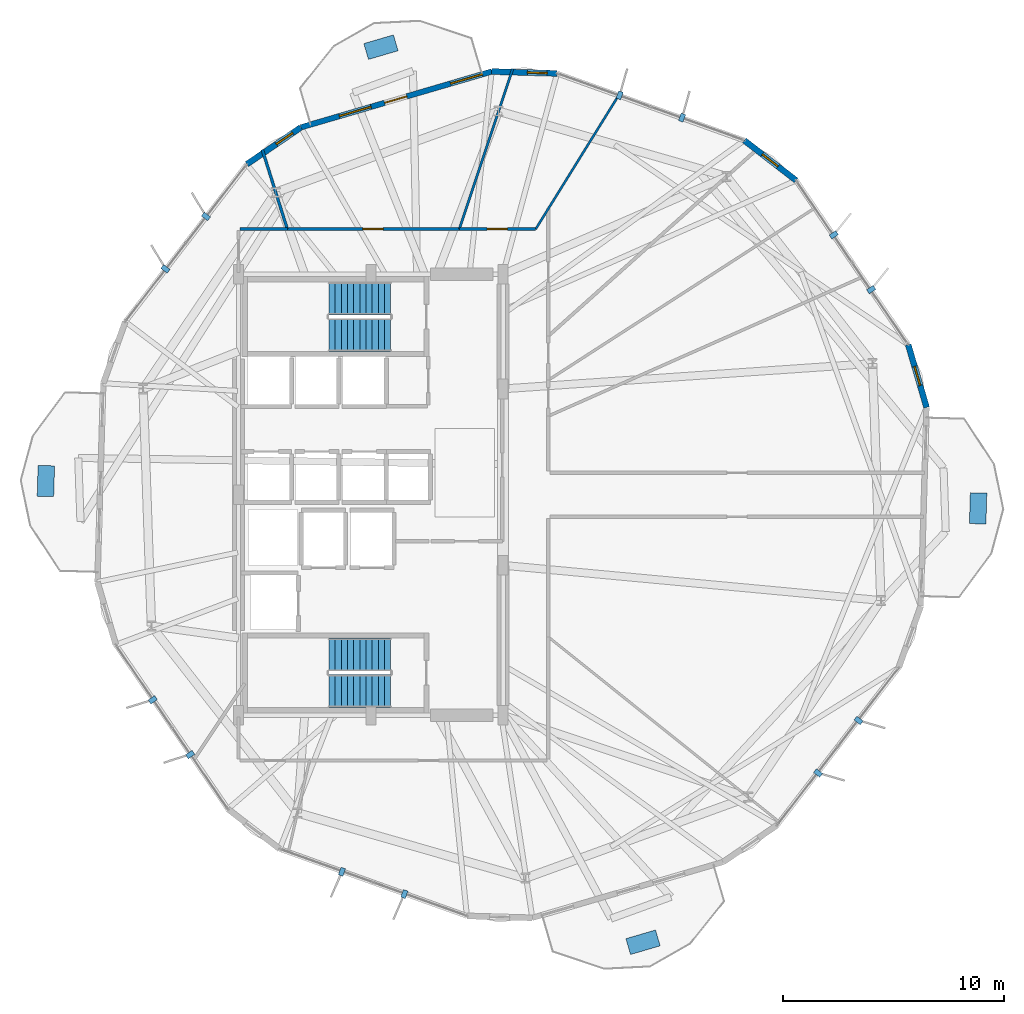
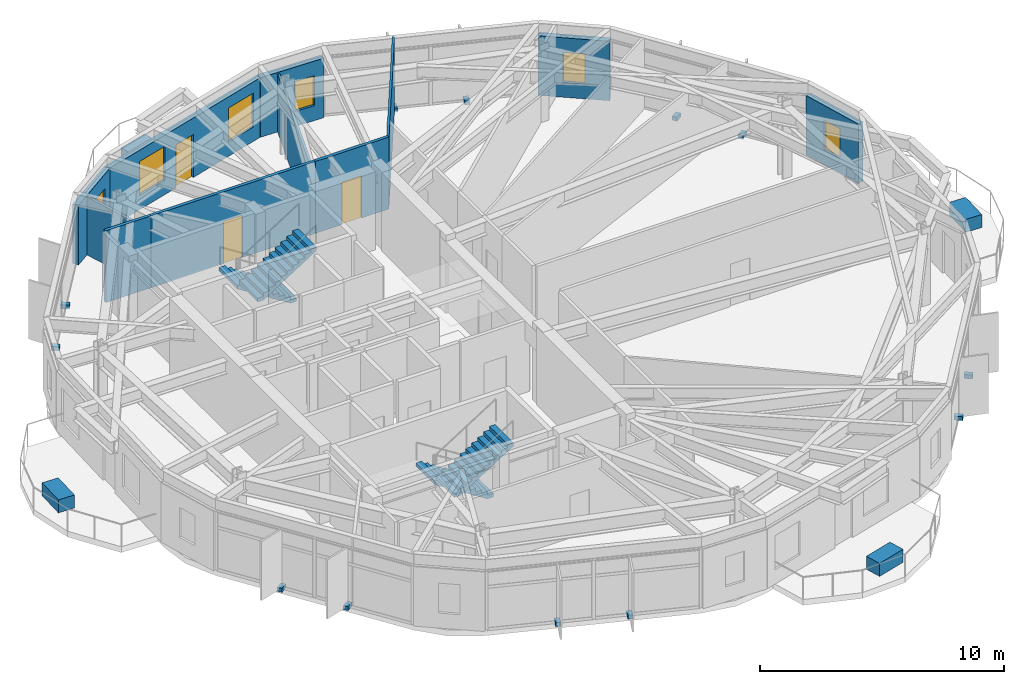
# One storey, part 21 of 24: 16 discrete accessories, 11 walls, 6 windows, 4 stair flights, 3 doors, 9 openings, 2 elements without a shape of their own.
"""IFC4 building model written with IfcOpenShell, lengths in metres."""

import ifcopenshell
import ifcopenshell.guid

model = None  # the IFC model being written
_history = None  # IfcOwnerHistory: only IFC2X3 demands one
_inside = {}  # id of a spatial element -> (the spatial element, [elements in it])
_under = {}  # id of a project, library or spatial element -> (it, [spatial elements below it])
_declared = {}  # id of a project -> (the project, [libraries it declares])
_typed = {}  # id of a type object -> (the type object, [elements of that type])
_made_of = {}  # id of a material, layer set ... -> (it, [elements and type objects made of it])


def new_model(schema):
    """Start an empty IFC model of exactly this schema.

    Asked for "IFC4X3", IfcOpenShell would pick the latest addendum, in which some entities
    have other attributes; the version numbers below select the first issue.
    IFC2X3 requires an IfcOwnerHistory on every rooted entity: one is made here for all.
    """
    global model, _history
    if schema == "IFC4X3":
        model = ifcopenshell.file(schema_version=(4, 3, 0, 0))
    else:
        model = ifcopenshell.file(schema=schema)
    _inside.clear()
    _under.clear()
    _declared.clear()
    _typed.clear()
    _made_of.clear()
    _history = None
    if model.schema == "IFC2X3":
        org = make("IfcOrganization", Name="unknown")
        user = make(
            "IfcPersonAndOrganization",
            ThePerson=make("IfcPerson", FamilyName="unknown"),
            TheOrganization=org,
        )
        app = make(
            "IfcApplication",
            ApplicationDeveloper=org,
            Version="unknown",
            ApplicationFullName="unknown",
            ApplicationIdentifier="unknown",
        )
        _history = make(
            "IfcOwnerHistory",
            OwningUser=user,
            OwningApplication=app,
            ChangeAction="ADDED",
            CreationDate=0,
        )
    return model


def make(cls, **values):
    """One entity of the class cls with the attributes given. An attribute that is None is left unset."""
    return model.create_entity(
        cls, **{name: value for name, value in values.items() if value is not None}
    )


def rooted(cls, **values):
    """An entity with a GlobalId (a new one), such as an element, a storey or a relation."""
    return make(cls, GlobalId=ifcopenshell.guid.new(), OwnerHistory=_history, **values)


def si_unit(unit_type, name, prefix=None):
    """IfcSIUnit, for example si_unit("LENGTHUNIT", "METRE", prefix="MILLI")."""
    return make("IfcSIUnit", UnitType=unit_type, Prefix=prefix, Name=name)


def assignment(units):
    """IfcUnitAssignment: the units of a project."""
    return None if units is None else make("IfcUnitAssignment", Units=units)


def point(xyz):
    """IfcCartesianPoint."""
    return None if xyz is None else make("IfcCartesianPoint", Coordinates=xyz)


def direction(xyz):
    """IfcDirection."""
    return None if xyz is None else make("IfcDirection", DirectionRatios=xyz)


def frame(location, z_axis=None, x_axis=None):
    """IfcAxis2Placement3D, a coordinate frame: its origin and axes. An axis left out is left unset."""
    return make(
        "IfcAxis2Placement3D",
        Location=point(location),
        Axis=direction(z_axis),
        RefDirection=direction(x_axis),
    )


def frame_2d(location, x_axis=None):
    """IfcAxis2Placement2D, a coordinate frame in the plane: its origin and x axis."""
    return make(
        "IfcAxis2Placement2D", Location=point(location), RefDirection=direction(x_axis)
    )


def origin():
    """The frame at (0, 0, 0) with its axes left unset."""
    return frame((0.0, 0.0, 0.0))


def origin_2d():
    """The frame at (0, 0) in the plane with its x axis left unset."""
    return frame_2d((0.0, 0.0))


def place(relative_to, where):
    """IfcLocalPlacement: puts the frame where relative to a parent placement (None: the world)."""
    return make(
        "IfcLocalPlacement", PlacementRelTo=relative_to, RelativePlacement=where
    )


def context(
    kind, dimensions, precision=None, world=None, true_north=None, identifier=None
):
    """IfcGeometricRepresentationContext, for example the 3D "Model" context."""
    return make(
        "IfcGeometricRepresentationContext",
        ContextIdentifier=identifier,
        ContextType=kind,
        CoordinateSpaceDimension=dimensions,
        Precision=precision,
        WorldCoordinateSystem=world,
        TrueNorth=true_north,
    )


def subcontext(parent, identifier, kind, view, scale=None):
    """IfcGeometricRepresentationSubContext, for example "Body" below "Model"."""
    return make(
        "IfcGeometricRepresentationSubContext",
        ContextIdentifier=identifier,
        ContextType=kind,
        ParentContext=parent,
        TargetScale=scale,
        TargetView=view,
    )


def project(units=None, contexts=None):
    """IfcProject with its units and contexts."""
    return rooted(
        "IfcProject",
        Name="project",
        RepresentationContexts=contexts,
        UnitsInContext=assignment(units),
    )


def spatial(cls, under=None, at=None, **own):
    """A site, building, storey or space (cls), placed at a placement, below another one or the project."""
    s = rooted(cls, ObjectPlacement=at, **own)
    if under is not None:
        _under.setdefault(under.id(), (under, []))[1].append(s)
    return s


def polyline(points):
    """IfcPolyline through the points."""
    return make("IfcPolyline", Points=[point(p) for p in points])


def profile(cls, at=None, kind="AREA", **sizes):
    """A parametric profile (cls). Its sizes go by their IFC names, for example OverallWidth=200.0."""
    return make(cls, ProfileType=kind, Position=at, **sizes)


def rectangle(**sizes):
    """IfcRectangleProfileDef."""
    return profile("IfcRectangleProfileDef", **sizes)


def outline(outer, holes=None, kind="AREA"):
    """IfcArbitraryClosedProfileDef: a profile drawn as a closed curve; with holes, ...WithVoids."""
    if holes is None:
        return make("IfcArbitraryClosedProfileDef", ProfileType=kind, OuterCurve=outer)
    return make(
        "IfcArbitraryProfileDefWithVoids",
        ProfileType=kind,
        OuterCurve=outer,
        InnerCurves=holes,
    )


def extrude(swept, where, along, depth):
    """IfcExtrudedAreaSolid: the profile swept, set in the frame where, extruded along a direction by depth."""
    return make(
        "IfcExtrudedAreaSolid",
        SweptArea=swept,
        Position=where,
        ExtrudedDirection=direction(along),
        Depth=depth,
    )


def shape(context_of_items, identifier, shape_type, items):
    """IfcShapeRepresentation: the items that make up one representation, for example the "Body"."""
    return make(
        "IfcShapeRepresentation",
        ContextOfItems=context_of_items,
        RepresentationIdentifier=identifier,
        RepresentationType=shape_type,
        Items=items,
    )


def material(Name=None, Category=None):
    """IfcMaterial."""
    return make("IfcMaterial", Name=Name, Category=Category)


def layer(
    of_material, thickness, ventilated=None, Name=None, Category=None, Priority=None
):
    """IfcMaterialLayer: one layer of a wall or slab, of a material (None: an air gap)."""
    return make(
        "IfcMaterialLayer",
        Material=of_material,
        LayerThickness=thickness,
        IsVentilated=ventilated,
        Name=Name,
        Category=Category,
        Priority=Priority,
    )


def layer_set(layers, Name=None):
    """IfcMaterialLayerSet."""
    return make("IfcMaterialLayerSet", MaterialLayers=layers, LayerSetName=Name)


def made_of(thing, what):
    """Note that an element or type object is made of a material, layer set ...; save() writes the relation."""
    if what is not None:
        _made_of.setdefault(what.id(), (what, []))[1].append(thing)
    return thing


def type_object(cls, material=None, **own):
    """A type object (cls), such as IfcWallType, which elements share."""
    return made_of(rooted(cls, **own), material)


def element(
    cls,
    number,
    at=None,
    inside=None,
    cuts=None,
    type_object=None,
    material=None,
    context=None,
    identifier="Body",
    shape_type=None,
    held_by="IfcProductDefinitionShape",
    body=None,
    shapes=None,
    **own,
):
    """One element of the class cls, such as IfcWall. Its Tag is "e" and its number.

    at: its placement. inside: the storey or other place that contains it. cuts: it is an
    opening in that element (IfcRelVoidsElement). A single representation is given by context,
    identifier, shape_type and body (its items); several are given by shapes. held_by: the class
    of the entity that holds the representations. save() writes the other relations.
    """
    e = rooted(cls, Tag="e%d" % number, ObjectPlacement=at, **own)
    if body is not None:
        shapes = [shape(context, identifier, shape_type, body)]
    if shapes is not None:
        e.Representation = make(held_by, Representations=shapes)
    if inside is not None:
        _inside.setdefault(inside.id(), (inside, []))[1].append(e)
    if cuts is not None:
        rooted(
            "IfcRelVoidsElement", RelatingBuildingElement=cuts, RelatedOpeningElement=e
        )
    if type_object is not None:
        _typed.setdefault(type_object.id(), (type_object, []))[1].append(e)
    return made_of(e, material)


def fill(opening, filler):
    """IfcRelFillsElement: the door or window that sits in an opening."""
    return rooted(
        "IfcRelFillsElement",
        RelatingOpeningElement=opening,
        RelatedBuildingElement=filler,
    )


def aggregate(whole, parts):
    """IfcRelAggregates: a whole, such as a stair, and the parts it consists of."""
    return rooted("IfcRelAggregates", RelatingObject=whole, RelatedObjects=parts)


def save(model, path):
    """Write the relations noted so far, then the file.

    IfcRelAggregates (storeys below a building ...), IfcRelContainedInSpatialStructure (elements
    in a storey), IfcRelDefinesByType, IfcRelAssociatesMaterial and IfcRelDeclares: one each for
    every whole, place, type object, material and project.
    """
    for whole, parts in _under.values():
        aggregate(whole, parts)
    for where, things in _inside.values():
        rooted(
            "IfcRelContainedInSpatialStructure",
            RelatedElements=things,
            RelatingStructure=where,
        )
    for kind, things in _typed.values():
        rooted("IfcRelDefinesByType", RelatedObjects=things, RelatingType=kind)
    for what, things in _made_of.values():
        rooted("IfcRelAssociatesMaterial", RelatedObjects=things, RelatingMaterial=what)
    for by, libraries in _declared.values():
        rooted("IfcRelDeclares", RelatingContext=by, RelatedDefinitions=libraries)
    model.write(path)


model = new_model("IFC4")

# Units and contexts
model_context = context("Model", 3, precision=1e-05, world=origin(), true_north=direction((0.0, 1.0)))
body_context = subcontext(model_context, "Body", "Model", "MODEL_VIEW")
ifc_project = project(units=[si_unit("LENGTHUNIT", "METRE"), si_unit("AREAUNIT", "SQUARE_METRE"), si_unit("VOLUMEUNIT", "CUBIC_METRE"), si_unit("PLANEANGLEUNIT", "RADIAN"), si_unit("MASSUNIT", "GRAM", prefix="KILO")], contexts=[model_context])

# Site, building, storey
site_placement = place(None, origin())
site = spatial("IfcSite", under=ifc_project, at=site_placement, CompositionType="ELEMENT")
building_placement = place(site_placement, origin())
building = spatial("IfcBuilding", under=site, at=building_placement, Name="Soratama Intermodal Tower", CompositionType="ELEMENT")
storey_placement = place(building_placement, frame((0.0, 0.0, 91.300048828125)))
storey = spatial("IfcBuildingStorey", under=building, at=storey_placement, Name="L21", CompositionType="ELEMENT", Elevation=91.300048828125)

# Wall, openings, door, windows
ifc_material_1 = material(Name="Concrete f'c 42 MPa", Category="concrete")
ifc_layer_1 = layer(ifc_material_1, 0.25)
ifc_layer_set_1 = layer_set([ifc_layer_1], Name="Concrete f'c 42 MPa")
wall_type_1 = type_object("IfcWallType", Name="EW-BAL-250", PredefinedType="SOLIDWALL", material=ifc_layer_set_1)
wall_1_placement = place(storey_placement, frame((44.078857421875, 44.189697265625, 0.0), z_axis=(0.0, 0.0, 1.0), x_axis=(-0.959709272815, -0.28099486058, 0.0)))
wall_1 = element("IfcWall", 1, at=wall_1_placement, inside=storey, type_object=wall_type_1, Name="L21 Terrace Wall F03", PredefinedType="SOLIDWALL", context=body_context, shape_type="SweptSolid", body=[
    extrude(rectangle(XDim=9.016845703125, YDim=0.25, at=frame_2d((4.50830078125, 0.0))), origin(), (0.0, 0.0, 1.0), 2.97900390625),
])
opening_1_placement = place(wall_1_placement, frame((4.00830078125, 0.0, 0.0)))
opening_1 = element("IfcOpeningElement", 2, at=opening_1_placement, cuts=wall_1, Name="Opening ED-5", PredefinedType="OPENING", context=body_context, shape_type="SweptSolid", body=[
    extrude(rectangle(XDim=1.050048828125, YDim=2.14990234375, at=frame_2d((0.52490234375, 1.074951171875))), frame((0.0, 0.135009765625, 0.0), z_axis=(0.0, -1.0, 0.0), x_axis=(1.0, 0.0, 0.0)), (0.0, 0.0, 1.0), 0.27001953125),
])
opening_2_placement = place(wall_1_placement, frame((0.43994140625, 0.0, 0.719970703125)))
opening_2 = element("IfcOpeningElement", 3, at=opening_2_placement, cuts=wall_1, Name="Opening WN-1", PredefinedType="OPENING", context=body_context, shape_type="SweptSolid", body=[
    extrude(rectangle(XDim=1.5, YDim=1.699951171875, at=frame_2d((0.75, 0.85009765625))), frame((0.0, 0.135009765625, 0.0), z_axis=(0.0, -1.0, 0.0), x_axis=(1.0, 0.0, 0.0)), (0.0, 0.0, 1.0), 0.27001953125),
])
opening_3_placement = place(wall_1_placement, frame((5.698486328125, 0.0, 0.719970703125)))
opening_3 = element("IfcOpeningElement", 4, at=opening_3_placement, cuts=wall_1, Name="Opening WN-1", PredefinedType="OPENING", context=body_context, shape_type="SweptSolid", body=[
    extrude(rectangle(XDim=1.5, YDim=1.699951171875, at=frame_2d((0.75, 0.85009765625))), frame((0.0, 0.135009765625, 0.0), z_axis=(0.0, -1.0, 0.0), x_axis=(1.0, 0.0, 0.0)), (0.0, 0.0, 1.0), 0.27001953125),
])
ifc_material_2 = material(Name="Double-glazed aluminium door", Category="aluminium")
door_type_1 = type_object("IfcDoorType", Name="DR-BAL-1050", OperationType="NOTDEFINED", PredefinedType="DOOR", material=ifc_material_2)
door_1_placement = place(opening_1_placement, origin())
door_1 = element("IfcDoor", 5, at=door_1_placement, inside=storey, type_object=door_type_1, Name="L21 Balcony Door F03", OperationType="SINGLE_SWING_LEFT", OverallHeight=2.14990234375, OverallWidth=1.050048828125, PredefinedType="DOOR", context=body_context, shape_type="SweptSolid", body=[
    extrude(rectangle(XDim=1.050048828125, YDim=2.14990234375, at=frame_2d((0.52490234375, 1.074951171875))), frame((0.0, 0.02490234375, 0.0), z_axis=(0.0, -1.0, 0.0), x_axis=(1.0, 0.0, 0.0)), (0.0, 0.0, 1.0), 0.050048828125),
])
fill(opening_1, door_1)
ifc_material_3 = material(Name="Double-glazed aluminium window", Category="aluminium")
window_type_1 = type_object("IfcWindowType", Name="WN-FAC-1500", PartitioningType="SINGLE_PANEL", PredefinedType="WINDOW", material=ifc_material_3)
window_1_placement = place(opening_2_placement, origin())
window_1 = element("IfcWindow", 6, at=window_1_placement, inside=storey, type_object=window_type_1, Name="L21 Window A F03", OverallHeight=1.699951171875, OverallWidth=1.5, PartitioningType="SINGLE_PANEL", PredefinedType="WINDOW", context=body_context, shape_type="SweptSolid", body=[
    extrude(rectangle(XDim=1.5, YDim=1.699951171875, at=frame_2d((0.75, 0.85009765625))), frame((0.0, 0.030029296875, 0.0), z_axis=(0.0, -1.0, 0.0), x_axis=(1.0, 0.0, 0.0)), (0.0, 0.0, 1.0), 0.06005859375),
])
fill(opening_2, window_1)
window_2_placement = place(opening_3_placement, origin())
window_2 = element("IfcWindow", 7, at=window_2_placement, inside=storey, type_object=window_type_1, Name="L21 Window B F03", OverallHeight=1.699951171875, OverallWidth=1.5, PartitioningType="SINGLE_PANEL", PredefinedType="WINDOW", context=body_context, shape_type="SweptSolid", body=[
    extrude(rectangle(XDim=1.5, YDim=1.699951171875, at=frame_2d((0.75, 0.85009765625))), frame((0.0, 0.030029296875, 0.0), z_axis=(0.0, -1.0, 0.0), x_axis=(1.0, 0.0, 0.0)), (0.0, 0.0, 1.0), 0.06005859375),
])
fill(opening_3, window_2)

# Wall, opening, window
ifc_material_4 = material(Name="Concrete f'c 42 MPa", Category="concrete")
ifc_layer_2 = layer(ifc_material_4, 0.27001953125)
ifc_layer_set_2 = layer_set([ifc_layer_2], Name="Concrete f'c 42 MPa")
wall_type_2 = type_object("IfcWallType", Name="EW-CRN-270", PredefinedType="SOLIDWALL", material=ifc_layer_set_2)
wall_2_placement = place(storey_placement, frame((57.882080078125, 39.2529296875, 0.0), z_axis=(0.0, 0.0, 1.0), x_axis=(-0.791417099737, 0.611276512098, 0.0)))
wall_2 = element("IfcWall", 8, at=wall_2_placement, inside=storey, type_object=wall_type_2, Name="L21 Corner Closure Wall 01", PredefinedType="SOLIDWALL", context=body_context, shape_type="SweptSolid", body=[
    extrude(rectangle(XDim=2.966796875, YDim=0.27001953125, at=frame_2d((1.4833984375, 0.0))), origin(), (0.0, 0.0, 1.0), 2.97900390625),
])
opening_4_placement = place(wall_2_placement, frame((1.033203125, 0.0, 0.75)))
opening_4 = element("IfcOpeningElement", 9, at=opening_4_placement, cuts=wall_2, Name="Opening WN-6", PredefinedType="OPENING", context=body_context, shape_type="SweptSolid", body=[
    extrude(rectangle(XDim=0.89990234375, YDim=1.5, at=frame_2d((0.449951171875, 0.75))), frame((0.0, 0.14501953125, 0.0), z_axis=(0.0, -1.0, 0.0), x_axis=(1.0, 0.0, 0.0)), (0.0, 0.0, 1.0), 0.2900390625),
])
ifc_material_5 = material(Name="Double-glazed aluminium window", Category="aluminium")
window_type_2 = type_object("IfcWindowType", Name="WN-FAC-900", PartitioningType="SINGLE_PANEL", PredefinedType="WINDOW", material=ifc_material_5)
window_3_placement = place(opening_4_placement, origin())
window_3 = element("IfcWindow", 10, at=window_3_placement, inside=storey, type_object=window_type_2, Name="L21 Corner Window 01", OverallHeight=1.5, OverallWidth=0.89990234375, PartitioningType="SINGLE_PANEL", PredefinedType="WINDOW", context=body_context, shape_type="SweptSolid", body=[
    extrude(rectangle(XDim=0.89990234375, YDim=1.5, at=frame_2d((0.449951171875, 0.75))), frame((0.0, 0.030029296875, 0.0), z_axis=(0.0, -1.0, 0.0), x_axis=(1.0, 0.0, 0.0)), (0.0, 0.0, 1.0), 0.06005859375),
])
fill(opening_4, window_3)

wall_3_placement = place(storey_placement, frame((47.044189453125, 44.102783203125, 0.0), z_axis=(0.0, 0.0, 1.0), x_axis=(-0.999570736723, 0.029297479193, 0.0)))
wall_3 = element("IfcWall", 11, at=wall_3_placement, inside=storey, type_object=wall_type_2, Name="L21 Corner Closure Wall 02", PredefinedType="SOLIDWALL", context=body_context, shape_type="SweptSolid", body=[
    extrude(rectangle(XDim=2.966552734375, YDim=0.27001953125, at=frame_2d((1.4833984375, 0.0))), origin(), (0.0, 0.0, 1.0), 2.97900390625),
])
opening_5_placement = place(wall_3_placement, frame((0.449951171875, 0.0, 0.75)))
opening_5 = element("IfcOpeningElement", 12, at=opening_5_placement, cuts=wall_3, Name="Opening WN-6", PredefinedType="OPENING", context=body_context, shape_type="SweptSolid", body=[
    extrude(rectangle(XDim=0.89990234375, YDim=1.5, at=frame_2d((0.449951171875, 0.75))), frame((0.0, 0.14501953125, 0.0), z_axis=(0.0, -1.0, 0.0), x_axis=(1.0, 0.0, 0.0)), (0.0, 0.0, 1.0), 0.2900390625),
])
window_4_placement = place(opening_5_placement, origin())
window_4 = element("IfcWindow", 13, at=window_4_placement, inside=storey, type_object=window_type_2, Name="L21 Corner Window 02", OverallHeight=1.5, OverallWidth=0.89990234375, PartitioningType="SINGLE_PANEL", PredefinedType="WINDOW", context=body_context, shape_type="SweptSolid", body=[
    extrude(rectangle(XDim=0.89990234375, YDim=1.5, at=frame_2d((0.449951171875, 0.75))), frame((0.0, 0.030029296875, 0.0), z_axis=(0.0, -1.0, 0.0), x_axis=(1.0, 0.0, 0.0)), (0.0, 0.0, 1.0), 0.06005859375),
])
fill(opening_5, window_4)

wall_4_placement = place(storey_placement, frame((35.42529296875, 41.656005859375, 0.0), z_axis=(0.0, 0.0, 1.0), x_axis=(-0.825884174717, -0.563839808768, 0.0)))
wall_4 = element("IfcWall", 14, at=wall_4_placement, inside=storey, type_object=wall_type_2, Name="L21 Corner Closure Wall 03", PredefinedType="SOLIDWALL", context=body_context, shape_type="SweptSolid", body=[
    extrude(rectangle(XDim=2.966552734375, YDim=0.27001953125, at=frame_2d((1.4833984375, 0.0))), origin(), (0.0, 0.0, 1.0), 2.97900390625),
])
opening_6_placement = place(wall_4_placement, frame((0.449951171875, 0.0, 0.75)))
opening_6 = element("IfcOpeningElement", 15, at=opening_6_placement, cuts=wall_4, Name="Opening WN-6", PredefinedType="OPENING", context=body_context, shape_type="SweptSolid", body=[
    extrude(rectangle(XDim=0.89990234375, YDim=1.5, at=frame_2d((0.449951171875, 0.75))), frame((0.0, 0.14501953125, 0.0), z_axis=(0.0, -1.0, 0.0), x_axis=(1.0, 0.0, 0.0)), (0.0, 0.0, 1.0), 0.2900390625),
])
window_5_placement = place(opening_6_placement, origin())
window_5 = element("IfcWindow", 16, at=window_5_placement, inside=storey, type_object=window_type_2, Name="L21 Corner Window 03", OverallHeight=1.5, OverallWidth=0.89990234375, PartitioningType="SINGLE_PANEL", PredefinedType="WINDOW", context=body_context, shape_type="SweptSolid", body=[
    extrude(rectangle(XDim=0.89990234375, YDim=1.5, at=frame_2d((0.449951171875, 0.75))), frame((0.0, 0.030029296875, 0.0), z_axis=(0.0, -1.0, 0.0), x_axis=(1.0, 0.0, 0.0)), (0.0, 0.0, 1.0), 0.06005859375),
])
fill(opening_6, window_5)

wall_5_placement = place(storey_placement, frame((63.799560546875, 28.958984375, 0.0), z_axis=(0.0, 0.0, 1.0), x_axis=(-0.280976408638, 0.959714675197, 0.0)))
wall_5 = element("IfcWall", 17, at=wall_5_placement, inside=storey, type_object=wall_type_2, Name="L21 Corner Closure Wall 10", PredefinedType="SOLIDWALL", context=body_context, shape_type="SweptSolid", body=[
    extrude(rectangle(XDim=2.96630859375, YDim=0.27001953125, at=frame_2d((1.483154296875, 0.0))), origin(), (0.0, 0.0, 1.0), 2.97900390625),
])
opening_7_placement = place(wall_5_placement, frame((1.033203125, 0.0, 0.75)))
opening_7 = element("IfcOpeningElement", 18, at=opening_7_placement, cuts=wall_5, Name="Opening WN-6", PredefinedType="OPENING", context=body_context, shape_type="SweptSolid", body=[
    extrude(rectangle(XDim=0.89990234375, YDim=1.5, at=frame_2d((0.449951171875, 0.75))), frame((0.0, 0.14501953125, 0.0), z_axis=(0.0, -1.0, 0.0), x_axis=(1.0, 0.0, 0.0)), (0.0, 0.0, 1.0), 0.2900390625),
])
window_6_placement = place(opening_7_placement, origin())
window_6 = element("IfcWindow", 19, at=window_6_placement, inside=storey, type_object=window_type_2, Name="L21 Corner Window 10", OverallHeight=1.5, OverallWidth=0.89990234375, PartitioningType="SINGLE_PANEL", PredefinedType="WINDOW", context=body_context, shape_type="SweptSolid", body=[
    extrude(rectangle(XDim=0.89990234375, YDim=1.5, at=frame_2d((0.449951171875, 0.75))), frame((0.0, 0.030029296875, 0.0), z_axis=(0.0, -1.0, 0.0), x_axis=(1.0, 0.0, 0.0)), (0.0, 0.0, 1.0), 0.06005859375),
])
fill(opening_7, window_6)

# Wall, opening, door
ifc_material_6 = material(Name="Fire-rated gypsum stud partition", Category="concrete")
ifc_layer_3 = layer(ifc_material_6, 0.14990234375)
ifc_layer_set_3 = layer_set([ifc_layer_3], Name="Fire-rated gypsum stud partition")
wall_type_3 = type_object("IfcWallType", Name="IW-PART-R150", PredefinedType="PARTITIONING", material=ifc_layer_set_3)
wall_6_placement = place(storey_placement, frame((34.81005859375, 37.050048828125, 0.0), z_axis=(0.0, 0.0, 1.0), x_axis=(1.0, 0.0, 0.0)))
wall_6 = element("IfcWall", 20, at=wall_6_placement, inside=storey, type_object=wall_type_3, Name="L21 Partition W-L21-TP008", PredefinedType="PARTITIONING", context=body_context, shape_type="SweptSolid", body=[
    extrude(rectangle(XDim=7.803955078125, YDim=0.14990234375, at=frame_2d((3.90185546875, 0.0))), origin(), (0.0, 0.0, 1.0), 3.599853515625),
])
opening_8_placement = place(wall_6_placement, frame((3.427001953125, 0.0, 0.0)))
opening_8 = element("IfcOpeningElement", 21, at=opening_8_placement, cuts=wall_6, Name="Opening ID-6", PredefinedType="OPENING", context=body_context, shape_type="SweptSolid", body=[
    extrude(rectangle(XDim=0.919921875, YDim=2.1201171875, at=frame_2d((0.4599609375, 1.06005859375))), frame((0.0, 0.0849609375, 0.0), z_axis=(0.0, -1.0, 0.0), x_axis=(1.0, 0.0, 0.0)), (0.0, 0.0, 1.0), 0.169921875),
])
ifc_material_7 = material(Name="Solid hardwood acoustic door", Category="wood")
door_type_2 = type_object("IfcDoorType", Name="DR-ROOM-920", OperationType="NOTDEFINED", PredefinedType="DOOR", material=ifc_material_7)
door_2_placement = place(opening_8_placement, origin())
door_2 = element("IfcDoor", 22, at=door_2_placement, inside=storey, type_object=door_type_2, Name="L21 Door D-L21-TP004", OperationType="SINGLE_SWING_LEFT", OverallHeight=2.1201171875, OverallWidth=0.919921875, PredefinedType="DOOR", context=body_context, shape_type="SweptSolid", body=[
    extrude(rectangle(XDim=0.919921875, YDim=2.1201171875, at=frame_2d((0.4599609375, 1.06005859375))), frame((0.0, 0.02490234375, 0.0), z_axis=(0.0, -1.0, 0.0), x_axis=(1.0, 0.0, 0.0)), (0.0, 0.0, 1.0), 0.050048828125),
])
fill(opening_8, door_2)

wall_7_placement = place(storey_placement, frame((42.614013671875, 37.050048828125, 0.0), z_axis=(0.0, 0.0, 1.0), x_axis=(1.0, 0.0, 0.0)))
wall_7 = element("IfcWall", 23, at=wall_7_placement, inside=storey, type_object=wall_type_3, Name="L21 Partition W-L21-TP018", PredefinedType="PARTITIONING", context=body_context, shape_type="SweptSolid", body=[
    extrude(rectangle(XDim=3.462890625, YDim=0.14990234375, at=frame_2d((1.7314453125, 0.0))), origin(), (0.0, 0.0, 1.0), 3.599853515625),
])
opening_9_placement = place(wall_7_placement, frame((1.257080078125, 0.0, 0.0)))
opening_9 = element("IfcOpeningElement", 24, at=opening_9_placement, cuts=wall_7, Name="Opening ID-6", PredefinedType="OPENING", context=body_context, shape_type="SweptSolid", body=[
    extrude(rectangle(XDim=0.919921875, YDim=2.1201171875, at=frame_2d((0.4599609375, 1.06005859375))), frame((0.0, 0.0849609375, 0.0), z_axis=(0.0, -1.0, 0.0), x_axis=(1.0, 0.0, 0.0)), (0.0, 0.0, 1.0), 0.169921875),
])
door_3_placement = place(opening_9_placement, origin())
door_3 = element("IfcDoor", 25, at=door_3_placement, inside=storey, type_object=door_type_2, Name="L21 Door D-L21-TP007", OperationType="SINGLE_SWING_RIGHT", OverallHeight=2.1201171875, OverallWidth=0.919921875, PredefinedType="DOOR", context=body_context, shape_type="SweptSolid", body=[
    extrude(rectangle(XDim=0.919921875, YDim=2.1201171875, at=frame_2d((0.4599609375, 1.06005859375))), frame((0.0, 0.02490234375, 0.0), z_axis=(0.0, -1.0, 0.0), x_axis=(1.0, 0.0, 0.0)), (0.0, 0.0, 1.0), 0.050048828125),
])
fill(opening_9, door_3)

# Walls
wall_8_placement = place(storey_placement, frame((32.669921875, 37.050048828125, 0.0), z_axis=(0.0, 0.0, 1.0), x_axis=(1.0, 0.0, 0.0)))
element("IfcWall", 26, at=wall_8_placement, inside=storey, type_object=wall_type_3, Name="L21 Partition W-L21-TP023", PredefinedType="PARTITIONING", context=body_context, shape_type="SweptSolid", body=[
    extrude(rectangle(XDim=2.14013671875, YDim=0.14990234375, at=frame_2d((1.070068359375, 0.0))), origin(), (0.0, 0.0, 1.0), 3.599853515625),
])
ifc_material_8 = material(Name="Fire-rated gypsum stud partition", Category="concrete")
ifc_layer_4 = layer(ifc_material_8, 0.10009765625)
ifc_layer_set_4 = layer_set([ifc_layer_4], Name="Fire-rated gypsum stud partition")
wall_type_4 = type_object("IfcWallType", Name="IW-PART-S100", PredefinedType="PARTITIONING", material=ifc_layer_set_4)
wall_9_placement = place(storey_placement, frame((46.076904296875, 37.050048828125, 0.0), z_axis=(0.0, 0.0, 1.0), x_axis=(0.527246015716, 0.849712680211, 0.0)))
element("IfcWall", 27, at=wall_9_placement, inside=storey, type_object=wall_type_4, Name="L21 Partition W-L21-TP010", PredefinedType="PARTITIONING", context=body_context, shape_type="SweptSolid", body=[
    extrude(rectangle(XDim=7.1259765625, YDim=0.10009765625, at=frame_2d((3.56298828125, 0.0))), origin(), (0.0, 0.0, 1.0), 3.599853515625),
])
ifc_material_9 = material(Name="Fire-rated gypsum stud partition", Category="concrete")
ifc_layer_5 = layer(ifc_material_9, 0.110107421875)
ifc_layer_set_5 = layer_set([ifc_layer_5], Name="Fire-rated gypsum stud partition")
wall_type_5 = type_object("IfcWallType", Name="IW-PART-S110", PredefinedType="PARTITIONING", material=ifc_layer_set_5)
wall_10_placement = place(storey_placement, frame((42.614013671875, 37.050048828125, 0.0), z_axis=(0.0, 0.0, 1.0), x_axis=(0.316026813331, 0.948750258633, 0.0)))
element("IfcWall", 28, at=wall_10_placement, inside=storey, type_object=wall_type_5, Name="L21 Partition W-L21-TP009", PredefinedType="PARTITIONING", context=body_context, shape_type="SweptSolid", body=[
    extrude(rectangle(XDim=7.654296875, YDim=0.110107421875, at=frame_2d((3.8271484375, 0.0))), origin(), (0.0, 0.0, 1.0), 2.89501953125),
])
ifc_material_10 = material(Name="Fire-rated gypsum stud partition", Category="concrete")
ifc_layer_6 = layer(ifc_material_10, 0.1298828125)
ifc_layer_set_6 = layer_set([ifc_layer_6], Name="Fire-rated gypsum stud partition")
wall_type_6 = type_object("IfcWallType", Name="IW-PART-S130", PredefinedType="PARTITIONING", material=ifc_layer_set_6)
wall_11_placement = place(storey_placement, frame((34.81005859375, 37.050048828125, 0.0), z_axis=(0.0, 0.0, 1.0), x_axis=(-0.300291330814, 0.953847533224, 0.0)))
element("IfcWall", 29, at=wall_11_placement, inside=storey, type_object=wall_type_6, Name="L21 Partition W-L21-TP017", PredefinedType="PARTITIONING", context=body_context, shape_type="SweptSolid", body=[
    extrude(rectangle(XDim=3.77001953125, YDim=0.1298828125, at=frame_2d((1.885009765625, 0.0))), origin(), (0.0, 0.0, 1.0), 2.89501953125),
])

# Stair, stair flights
ifc_material_11 = material(Name="Concrete f'c 42 MPa", Category="concrete")
stair_type = type_object("IfcStairType", Name="ST-CORE-DOGLEG", PredefinedType="HALF_TURN_STAIR", material=ifc_material_11)
stair_1_placement = place(storey_placement, origin())
stair_1 = element("IfcStair", 30, at=stair_1_placement, inside=storey, type_object=stair_type, Name="L21 ST-1", PredefinedType="HALF_TURN_STAIR")
ifc_material_12 = material(Name="Precast concrete f'c 40 MPa", Category="concrete")
ifc_layer_7 = layer(ifc_material_12, 0.199951171875)
ifc_layer_set_7 = layer_set([ifc_layer_7], Name="Precast concrete f'c 40 MPa")
stair_flight_type = type_object("IfcStairFlightType", Name="SF-FLIGHT-RC", PredefinedType="STRAIGHT", material=ifc_layer_set_7)
stair_flight_1_placement = place(storey_placement, frame((39.5, 17.75, 0.0), z_axis=(0.0, 0.0, 1.0), x_axis=(-1.0, 0.0, 0.0)))
stair_flight_1 = element("IfcStairFlight", 31, at=stair_flight_1_placement, type_object=stair_flight_type, Name="ST-1 flight 1", NumberOfRisers=11, NumberOfTreads=10, PredefinedType="STRAIGHT", RiserHeight=0.177272727, TreadLength=0.28, context=body_context, shape_type="SweptSolid", body=[
    extrude(outline(polyline([(0.0, 0.0), (0.0, 0.17724609375), (0.280029296875, 0.17724609375), (0.280029296875, 0.3544921875), (0.56005859375, 0.3544921875), (0.56005859375, 0.53173828125), (0.840087890625, 0.53173828125), (0.840087890625, 0.708984375), (1.1201171875, 0.708984375), (1.1201171875, 0.886474609375), (1.39990234375, 0.886474609375), (1.39990234375, 1.063720703125), (1.679931640625, 1.063720703125), (1.679931640625, 1.240966796875), (1.9599609375, 1.240966796875), (1.9599609375, 1.418212890625), (2.239990234375, 1.418212890625), (2.239990234375, 1.595458984375), (2.52001953125, 1.595458984375), (2.52001953125, 1.772705078125), (2.800048828125, 1.772705078125), (2.800048828125, 1.949951171875), (2.800048828125, 1.59521484375), (0.2802734375, 0.0), (0.0, 0.0)])), frame((0.0, 0.75, 0.0), z_axis=(0.0, -1.0, 0.0), x_axis=(1.0, 0.0, 0.0)), (0.0, 0.0, 1.0), 1.5),
])
stair_flight_2_placement = place(storey_placement, frame((36.699951171875, 16.10009765625, 1.949951171875), z_axis=(0.0, 0.0, 1.0), x_axis=(1.0, 0.0, 0.0)))
stair_flight_2 = element("IfcStairFlight", 32, at=stair_flight_2_placement, type_object=stair_flight_type, Name="ST-1 flight 2", NumberOfRisers=11, NumberOfTreads=10, PredefinedType="STRAIGHT", RiserHeight=0.177272727, TreadLength=0.28, context=body_context, shape_type="SweptSolid", body=[
    extrude(outline(polyline([(0.0, 0.0), (0.0, 0.17724609375), (0.280029296875, 0.17724609375), (0.280029296875, 0.3544921875), (0.56005859375, 0.3544921875), (0.56005859375, 0.53173828125), (0.840087890625, 0.53173828125), (0.840087890625, 0.708984375), (1.1201171875, 0.708984375), (1.1201171875, 0.886474609375), (1.39990234375, 0.886474609375), (1.39990234375, 1.063720703125), (1.679931640625, 1.063720703125), (1.679931640625, 1.240966796875), (1.9599609375, 1.240966796875), (1.9599609375, 1.418212890625), (2.239990234375, 1.418212890625), (2.239990234375, 1.595458984375), (2.52001953125, 1.595458984375), (2.52001953125, 1.772705078125), (2.800048828125, 1.772705078125), (2.800048828125, 1.949951171875), (2.800048828125, 1.59521484375), (0.2802734375, 0.0), (0.0, 0.0)])), frame((0.0, 0.75, 0.0), z_axis=(0.0, -1.0, 0.0), x_axis=(1.0, 0.0, 0.0)), (0.0, 0.0, 1.0), 1.5),
])
aggregate(stair_1, [stair_flight_1, stair_flight_2])

stair_2_placement = place(storey_placement, origin())
stair_2 = element("IfcStair", 33, at=stair_2_placement, inside=storey, type_object=stair_type, Name="L21 ST-2", PredefinedType="HALF_TURN_STAIR")
stair_flight_3_placement = place(storey_placement, frame((39.5, 33.89990234375, 0.0), z_axis=(0.0, 0.0, 1.0), x_axis=(-1.0, 0.0, 0.0)))
stair_flight_3 = element("IfcStairFlight", 34, at=stair_flight_3_placement, type_object=stair_flight_type, Name="ST-2 flight 1", NumberOfRisers=11, NumberOfTreads=10, PredefinedType="STRAIGHT", RiserHeight=0.177272727, TreadLength=0.28, context=body_context, shape_type="SweptSolid", body=[
    extrude(outline(polyline([(0.0, 0.0), (0.0, 0.17724609375), (0.280029296875, 0.17724609375), (0.280029296875, 0.3544921875), (0.56005859375, 0.3544921875), (0.56005859375, 0.53173828125), (0.840087890625, 0.53173828125), (0.840087890625, 0.708984375), (1.1201171875, 0.708984375), (1.1201171875, 0.886474609375), (1.39990234375, 0.886474609375), (1.39990234375, 1.063720703125), (1.679931640625, 1.063720703125), (1.679931640625, 1.240966796875), (1.9599609375, 1.240966796875), (1.9599609375, 1.418212890625), (2.239990234375, 1.418212890625), (2.239990234375, 1.595458984375), (2.52001953125, 1.595458984375), (2.52001953125, 1.772705078125), (2.800048828125, 1.772705078125), (2.800048828125, 1.949951171875), (2.800048828125, 1.59521484375), (0.2802734375, 0.0), (0.0, 0.0)])), frame((0.0, 0.75, 0.0), z_axis=(0.0, -1.0, 0.0), x_axis=(1.0, 0.0, 0.0)), (0.0, 0.0, 1.0), 1.5),
])
stair_flight_4_placement = place(storey_placement, frame((36.699951171875, 32.25, 1.949951171875), z_axis=(0.0, 0.0, 1.0), x_axis=(1.0, 0.0, 0.0)))
stair_flight_4 = element("IfcStairFlight", 35, at=stair_flight_4_placement, type_object=stair_flight_type, Name="ST-2 flight 2", NumberOfRisers=11, NumberOfTreads=10, PredefinedType="STRAIGHT", RiserHeight=0.177272727, TreadLength=0.28, context=body_context, shape_type="SweptSolid", body=[
    extrude(outline(polyline([(0.0, 0.0), (0.0, 0.17724609375), (0.280029296875, 0.17724609375), (0.280029296875, 0.3544921875), (0.56005859375, 0.3544921875), (0.56005859375, 0.53173828125), (0.840087890625, 0.53173828125), (0.840087890625, 0.708984375), (1.1201171875, 0.708984375), (1.1201171875, 0.886474609375), (1.39990234375, 0.886474609375), (1.39990234375, 1.063720703125), (1.679931640625, 1.063720703125), (1.679931640625, 1.240966796875), (1.9599609375, 1.240966796875), (1.9599609375, 1.418212890625), (2.239990234375, 1.418212890625), (2.239990234375, 1.595458984375), (2.52001953125, 1.595458984375), (2.52001953125, 1.772705078125), (2.800048828125, 1.772705078125), (2.800048828125, 1.949951171875), (2.800048828125, 1.59521484375), (0.2802734375, 0.0), (0.0, 0.0)])), frame((0.0, 0.75, 0.0), z_axis=(0.0, -1.0, 0.0), x_axis=(1.0, 0.0, 0.0)), (0.0, 0.0, 1.0), 1.5),
])
aggregate(stair_2, [stair_flight_3, stair_flight_4])

# Discrete accessories
ifc_material_13 = material(Name="Structural steel ASTM A992 Grade 50", Category="steel")
discrete_accessory_type_1 = type_object("IfcDiscreteAccessoryType", Name="AC-FIN-BRACKET", PredefinedType="BRACKET", material=ifc_material_13)
for number, where, z_axis, x_axis, name in (
    (36, (61.287841796875, 34.299560546875, -0.080078125), (0.0, 0.0, 1.0), (0.825901536471, 0.563814377303, 0.0), "L21 Fin Bracket F01-1"),
    (37, (59.59326171875, 36.781982421875, -0.080078125), (0.0, 0.0, 1.0), (0.825901536471, 0.563814377303, 0.0), "L21 Fin Bracket F01-2"),
    (38, (52.7109375, 42.097412109375, -0.080078125), (0.0, 0.0, 1.0), (0.336766602676, 0.941588155895, 0.0), "L21 Fin Bracket F02-1"),
    (39, (49.881103515625, 43.109619140625, -0.080078125), (0.0, 0.0, 1.0), (0.336766602676, 0.941588155895, 0.0), "L21 Fin Bracket F02-2"),
    (40, (31.122314453125, 37.616943359375, -0.080078125), (0.0, 0.0, 1.0), (-0.791436947965, 0.61125081382, 0.0), "L21 Fin Bracket F04-1"),
    (41, (29.28515625, 35.23828125, -0.080078125), (0.0, 0.0, 1.0), (-0.791436947965, 0.61125081382, 0.0), "L21 Fin Bracket F04-2"),
    (42, (28.712158203125, 15.700439453125, -0.080078125), (0.0, 0.0, 1.0), (-0.825901536471, -0.563814377303, 0.0), "L21 Fin Bracket F06-1"),
    (43, (30.40673828125, 13.218017578125, -0.080078125), (0.0, 0.0, 1.0), (-0.825901536471, -0.563814377303, 0.0), "L21 Fin Bracket F06-2"),
    (44, (37.2890625, 7.902587890625, -0.080078125), (0.0, 0.0, 1.0), (-0.336766602676, -0.941588155895, 0.0), "L21 Fin Bracket F07-1"),
    (45, (40.118896484375, 6.890380859375, -0.080078125), (0.0, 0.0, 1.0), (-0.336766602676, -0.941588155895, 0.0), "L21 Fin Bracket F07-2"),
    (46, (58.877685546875, 12.383056640625, -0.080078125), (0.0, 0.0, 1.0), (0.791436947965, -0.61125081382, 0.0), "L21 Fin Bracket F09-1"),
    (47, (60.71484375, 14.76171875, -0.080078125), (0.0, 0.0, 1.0), (0.791436947965, -0.61125081382, 0.0), "L21 Fin Bracket F09-2"),
):
    element("IfcDiscreteAccessory", number, at=place(storey_placement, frame(where, z_axis=z_axis, x_axis=x_axis)), inside=storey, type_object=discrete_accessory_type_1, Name=name, PredefinedType="BRACKET", context=body_context, shape_type="SweptSolid", body=[
        extrude(rectangle(XDim=0.360107421875, YDim=0.219970703125, at=origin_2d()), origin(), (0.0, 0.0, 1.0), 0.199951171875),
    ])
ifc_material_14 = material(Name="Precast concrete f'c 40 MPa", Category="concrete")
discrete_accessory_type_2 = type_object("IfcDiscreteAccessoryType", Name="AC-PLANTER-TREE", PredefinedType="USERDEFINED", material=ifc_material_14)
for number, where, z_axis, x_axis, name in (
    (48, (66.13623046875, 24.3798828125, 0.0), (0.0, 0.0, 1.0), (0.999570154695, -0.029317330072, 0.0), "L21 Tree Planter 1"),
    (49, (39.05810546875, 45.29345703125, 0.0), (0.0, 0.0, 1.0), (-0.281001727065, 0.959707262339, 0.0), "L21 Tree Planter 2"),
    (50, (23.86376953125, 25.6201171875, 0.0), (0.0, 0.0, 1.0), (-0.999570154695, 0.029317330072, 0.0), "L21 Tree Planter 3"),
    (51, (50.94189453125, 4.70654296875, 0.0), (0.0, 0.0, 1.0), (0.281001727065, -0.959707262339, 0.0), "L21 Tree Planter 4"),
):
    element("IfcDiscreteAccessory", number, at=place(storey_placement, frame(where, z_axis=z_axis, x_axis=x_axis)), inside=storey, type_object=discrete_accessory_type_2, Name=name, ObjectType="PLANTER", PredefinedType="USERDEFINED", context=body_context, shape_type="SweptSolid", body=[
        extrude(rectangle(XDim=0.75, YDim=1.39990234375, at=origin_2d()), origin(), (0.0, 0.0, 1.0), 0.64990234375),
    ])

save(model, "model.ifc")
